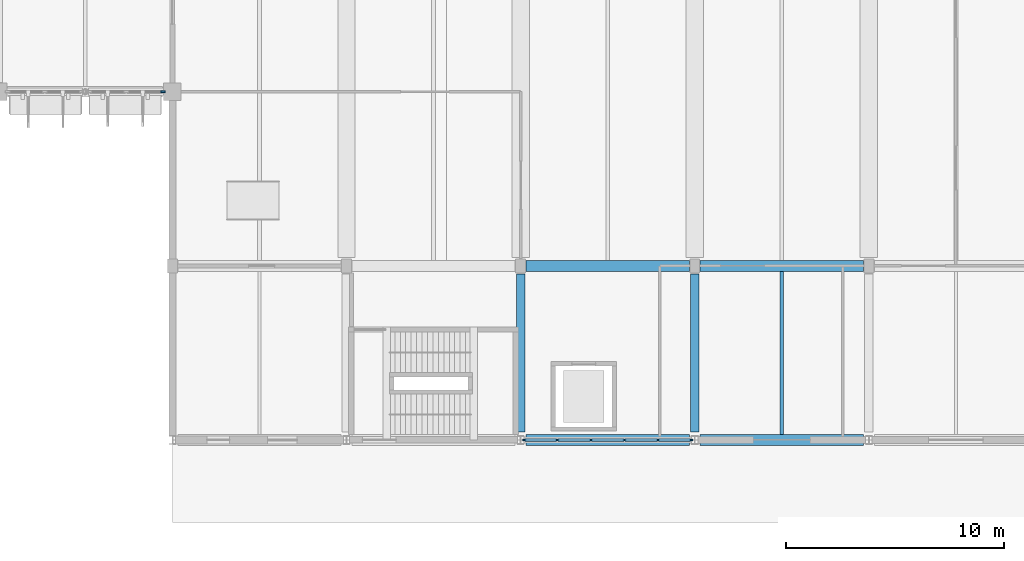
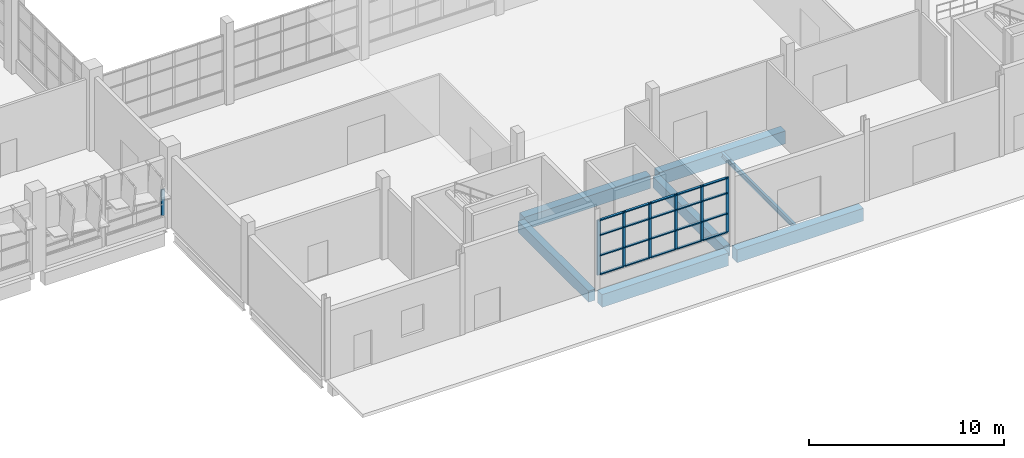
# One storey, part 20 of 103: 27 members, 7 beams, 2 elements without a shape of their own.
"""IFC4 building model written with IfcOpenShell, lengths in metres."""

from ifc_helpers import new_model, si_unit, direction, frame, origin, origin_2d, place, context, subcontext, project, spatial, rectangle, i_section, extrude, material, layer, layer_set, material_profile, profile_set, type_object, element, aggregate, save


model = new_model("IFC4")

# Units and contexts
model_context = context("Model", 3, precision=1e-05, world=origin(), true_north=direction((0.0, 1.0)))
body_context = subcontext(model_context, "Body", "Model", "MODEL_VIEW")
ifc_project = project(units=[si_unit("LENGTHUNIT", "METRE"), si_unit("AREAUNIT", "SQUARE_METRE"), si_unit("VOLUMEUNIT", "CUBIC_METRE"), si_unit("PLANEANGLEUNIT", "RADIAN"), si_unit("MASSUNIT", "GRAM", prefix="KILO")], contexts=[model_context])

# Site, building, storey
site_placement = place(None, origin())
site = spatial("IfcSite", under=ifc_project, at=site_placement, CompositionType="ELEMENT")
building_placement = place(site_placement, origin())
building = spatial("IfcBuilding", under=site, at=building_placement, Name="Drelvana Railside Aquatics Centre", CompositionType="ELEMENT")
storey_placement = place(building_placement, origin())
storey = spatial("IfcBuildingStorey", under=building, at=storey_placement, Name="L00", CompositionType="ELEMENT", Elevation=0.0)

# Curtain wall, member
ifc_material_1 = material(Name="Bronze-anodised aluminium curtain wall", Category="aluminium")
ifc_layer_1 = layer(ifc_material_1, 0.199951171875, Name="Bronze-anodised aluminium curtain wall")
ifc_layer_set_1 = layer_set([ifc_layer_1], Name="Bronze-anodised aluminium curtain wall")
curtain_wall_type_1 = type_object("IfcCurtainWallType", Name="CW-Z1-SINE", PredefinedType="NOTDEFINED", material=ifc_layer_set_1)
curtain_wall_1_placement = place(storey_placement, origin())
curtain_wall_1 = element("IfcCurtainWall", 1, at=curtain_wall_1_placement, inside=storey, type_object=curtain_wall_type_1, Name="Curtain wall CW-01-016", PredefinedType="NOTDEFINED")
ifc_material_2 = material(Name="Bronze-anodised aluminium 6063-T6", Category="aluminium")
ifc_material_profile_1 = material_profile(ifc_material_2, rectangle(XDim=0.074951171875, YDim=0.22509765625, at=origin_2d()), Name="ALU-M 75x225")
ifc_profile_set_1 = profile_set([ifc_material_profile_1], Name="Bronze-anodised aluminium 6063-T6")
member_type_1 = type_object("IfcMemberType", Name="CW-Z1-SINE-MUL", PredefinedType="MULLION", material=ifc_profile_set_1)
member_1_placement = place(storey_placement, frame((95.568603515625, 16.0, 0.64404296875), z_axis=(0.0, 0.0, 1.0), x_axis=(0.0, 1.0, 0.0)))
member_1 = element("IfcMember", 2, at=member_1_placement, type_object=member_type_1, Name="CW-01 mullion 3", PredefinedType="MULLION", context=body_context, shape_type="SweptSolid", body=[
    extrude(rectangle(XDim=0.074951171875, YDim=0.22509765625, at=origin_2d()), origin(), (0.0, 0.0, 1.0), 1.635009765625),
])
aggregate(curtain_wall_1, [member_1])

# Curtain wall, members
ifc_layer_2 = layer(ifc_material_1, 0.18994140625, Name="Bronze-anodised aluminium curtain wall")
ifc_layer_set_2 = layer_set([ifc_layer_2], Name="Bronze-anodised aluminium curtain wall")
curtain_wall_type_2 = type_object("IfcCurtainWallType", Name="CW-Z4-FOYER", PredefinedType="NOTDEFINED", material=ifc_layer_set_2)
curtain_wall_2_placement = place(storey_placement, origin())
curtain_wall_2 = element("IfcCurtainWall", 3, at=curtain_wall_2_placement, inside=storey, type_object=curtain_wall_type_2, Name="Curtain wall CW-04-104", PredefinedType="NOTDEFINED")
ifc_material_profile_2 = material_profile(ifc_material_2, rectangle(XDim=0.06494140625, YDim=0.175048828125, at=origin_2d()), Name="ALU-M 65x175")
ifc_profile_set_2 = profile_set([ifc_material_profile_2], Name="Bronze-anodised aluminium 6063-T6")
member_type_2 = type_object("IfcMemberType", Name="CW-Z4-FOYER-MUL", PredefinedType="MULLION", material=ifc_profile_set_2)
member_2_placement = place(storey_placement, frame((112.176513671875, 0.0, 0.7939453125), z_axis=(0.0, 0.0, 1.0), x_axis=(0.0, 1.0, 0.0)))
member_2 = element("IfcMember", 4, at=member_2_placement, type_object=member_type_2, Name="CW-04 mullion 1", PredefinedType="MULLION", context=body_context, shape_type="SweptSolid", body=[
    extrude(rectangle(XDim=0.06494140625, YDim=0.175048828125, at=origin_2d()), origin(), (0.0, 0.0, 1.0), 3.4560546875),
])
member_3_placement = place(storey_placement, frame((113.686279296875, 0.0, 0.7939453125), z_axis=(0.0, 0.0, 1.0), x_axis=(0.0, 1.0, 0.0)))
member_3 = element("IfcMember", 5, at=member_3_placement, type_object=member_type_2, Name="CW-04 mullion 2", PredefinedType="MULLION", context=body_context, shape_type="SweptSolid", body=[
    extrude(rectangle(XDim=0.06494140625, YDim=0.175048828125, at=origin_2d()), origin(), (0.0, 0.0, 1.0), 3.4560546875),
])
member_4_placement = place(storey_placement, frame((115.228759765625, 0.0, 0.7939453125), z_axis=(0.0, 0.0, 1.0), x_axis=(0.0, 1.0, 0.0)))
member_4 = element("IfcMember", 6, at=member_4_placement, type_object=member_type_2, Name="CW-04 mullion 3", PredefinedType="MULLION", context=body_context, shape_type="SweptSolid", body=[
    extrude(rectangle(XDim=0.06494140625, YDim=0.175048828125, at=origin_2d()), origin(), (0.0, 0.0, 1.0), 3.4560546875),
])
member_5_placement = place(storey_placement, frame((116.771240234375, 0.0, 0.7939453125), z_axis=(0.0, 0.0, 1.0), x_axis=(0.0, 1.0, 0.0)))
member_5 = element("IfcMember", 7, at=member_5_placement, type_object=member_type_2, Name="CW-04 mullion 4", PredefinedType="MULLION", context=body_context, shape_type="SweptSolid", body=[
    extrude(rectangle(XDim=0.06494140625, YDim=0.175048828125, at=origin_2d()), origin(), (0.0, 0.0, 1.0), 3.4560546875),
])
member_6_placement = place(storey_placement, frame((118.313720703125, 0.0, 0.7939453125), z_axis=(0.0, 0.0, 1.0), x_axis=(0.0, 1.0, 0.0)))
member_6 = element("IfcMember", 8, at=member_6_placement, type_object=member_type_2, Name="CW-04 mullion 5", PredefinedType="MULLION", context=body_context, shape_type="SweptSolid", body=[
    extrude(rectangle(XDim=0.06494140625, YDim=0.175048828125, at=origin_2d()), origin(), (0.0, 0.0, 1.0), 3.4560546875),
])
member_7_placement = place(storey_placement, frame((119.823486328125, 0.0, 0.7939453125), z_axis=(0.0, 0.0, 1.0), x_axis=(0.0, 1.0, 0.0)))
member_7 = element("IfcMember", 9, at=member_7_placement, type_object=member_type_2, Name="CW-04 mullion 6", PredefinedType="MULLION", context=body_context, shape_type="SweptSolid", body=[
    extrude(rectangle(XDim=0.06494140625, YDim=0.175048828125, at=origin_2d()), origin(), (0.0, 0.0, 1.0), 3.4560546875),
])
ifc_material_profile_3 = material_profile(ifc_material_2, rectangle(XDim=0.139892578125, YDim=0.06494140625, at=origin_2d()), Name="ALU-T 65x140")
ifc_profile_set_3 = profile_set([ifc_material_profile_3], Name="Bronze-anodised aluminium 6063-T6")
member_type_3 = type_object("IfcMemberType", Name="CW-Z4-FOYER-TRN", PredefinedType="USERDEFINED", material=ifc_profile_set_3)
member_8_placement = place(storey_placement, frame((112.2041015625, 0.0, 0.826416015625), z_axis=(1.0, 0.0, 0.0), x_axis=(0.0, 1.0, 0.0)))
member_8 = element("IfcMember", 10, at=member_8_placement, type_object=member_type_3, Name="CW-04 transom 1.1", ObjectType="TRANSOM", PredefinedType="USERDEFINED", context=body_context, shape_type="SweptSolid", body=[
    extrude(rectangle(XDim=0.139892578125, YDim=0.06494140625, at=origin_2d()), origin(), (0.0, 0.0, 1.0), 1.454833984375),
])
member_9_placement = place(storey_placement, frame((112.2041015625, 0.0, 2.00390625), z_axis=(1.0, 0.0, 0.0), x_axis=(0.0, 1.0, 0.0)))
member_9 = element("IfcMember", 11, at=member_9_placement, type_object=member_type_3, Name="CW-04 transom 1.2", ObjectType="TRANSOM", PredefinedType="USERDEFINED", context=body_context, shape_type="SweptSolid", body=[
    extrude(rectangle(XDim=0.139892578125, YDim=0.06494140625, at=origin_2d()), origin(), (0.0, 0.0, 1.0), 1.454833984375),
])
member_10_placement = place(storey_placement, frame((112.2041015625, 0.0, 3.281982421875), z_axis=(1.0, 0.0, 0.0), x_axis=(0.0, 1.0, 0.0)))
member_10 = element("IfcMember", 12, at=member_10_placement, type_object=member_type_3, Name="CW-04 transom 1.3", ObjectType="TRANSOM", PredefinedType="USERDEFINED", context=body_context, shape_type="SweptSolid", body=[
    extrude(rectangle(XDim=0.139892578125, YDim=0.06494140625, at=origin_2d()), origin(), (0.0, 0.0, 1.0), 1.454833984375),
])
member_11_placement = place(storey_placement, frame((112.2041015625, 0.0, 4.217529296875), z_axis=(1.0, 0.0, 0.0), x_axis=(0.0, 1.0, 0.0)))
member_11 = element("IfcMember", 13, at=member_11_placement, type_object=member_type_3, Name="CW-04 transom 1.4", ObjectType="TRANSOM", PredefinedType="USERDEFINED", context=body_context, shape_type="SweptSolid", body=[
    extrude(rectangle(XDim=0.139892578125, YDim=0.06494140625, at=origin_2d()), origin(), (0.0, 0.0, 1.0), 1.454833984375),
])
member_12_placement = place(storey_placement, frame((113.7138671875, 0.0, 0.826416015625), z_axis=(1.0, 0.0, 0.0), x_axis=(0.0, 1.0, 0.0)))
member_12 = element("IfcMember", 14, at=member_12_placement, type_object=member_type_3, Name="CW-04 transom 2.1", ObjectType="TRANSOM", PredefinedType="USERDEFINED", context=body_context, shape_type="SweptSolid", body=[
    extrude(rectangle(XDim=0.139892578125, YDim=0.06494140625, at=origin_2d()), origin(), (0.0, 0.0, 1.0), 1.487548828125),
])
member_13_placement = place(storey_placement, frame((113.7138671875, 0.0, 2.00390625), z_axis=(1.0, 0.0, 0.0), x_axis=(0.0, 1.0, 0.0)))
member_13 = element("IfcMember", 15, at=member_13_placement, type_object=member_type_3, Name="CW-04 transom 2.2", ObjectType="TRANSOM", PredefinedType="USERDEFINED", context=body_context, shape_type="SweptSolid", body=[
    extrude(rectangle(XDim=0.139892578125, YDim=0.06494140625, at=origin_2d()), origin(), (0.0, 0.0, 1.0), 1.487548828125),
])
member_14_placement = place(storey_placement, frame((113.7138671875, 0.0, 3.281982421875), z_axis=(1.0, 0.0, 0.0), x_axis=(0.0, 1.0, 0.0)))
member_14 = element("IfcMember", 16, at=member_14_placement, type_object=member_type_3, Name="CW-04 transom 2.3", ObjectType="TRANSOM", PredefinedType="USERDEFINED", context=body_context, shape_type="SweptSolid", body=[
    extrude(rectangle(XDim=0.139892578125, YDim=0.06494140625, at=origin_2d()), origin(), (0.0, 0.0, 1.0), 1.487548828125),
])
member_15_placement = place(storey_placement, frame((113.7138671875, 0.0, 4.217529296875), z_axis=(1.0, 0.0, 0.0), x_axis=(0.0, 1.0, 0.0)))
member_15 = element("IfcMember", 17, at=member_15_placement, type_object=member_type_3, Name="CW-04 transom 2.4", ObjectType="TRANSOM", PredefinedType="USERDEFINED", context=body_context, shape_type="SweptSolid", body=[
    extrude(rectangle(XDim=0.139892578125, YDim=0.06494140625, at=origin_2d()), origin(), (0.0, 0.0, 1.0), 1.487548828125),
])
member_16_placement = place(storey_placement, frame((115.25634765625, 0.0, 0.826416015625), z_axis=(1.0, 0.0, 0.0), x_axis=(0.0, 1.0, 0.0)))
member_16 = element("IfcMember", 18, at=member_16_placement, type_object=member_type_3, Name="CW-04 transom 3.1", ObjectType="TRANSOM", PredefinedType="USERDEFINED", context=body_context, shape_type="SweptSolid", body=[
    extrude(rectangle(XDim=0.139892578125, YDim=0.06494140625, at=origin_2d()), origin(), (0.0, 0.0, 1.0), 1.4873046875),
])
member_17_placement = place(storey_placement, frame((115.25634765625, 0.0, 2.00390625), z_axis=(1.0, 0.0, 0.0), x_axis=(0.0, 1.0, 0.0)))
member_17 = element("IfcMember", 19, at=member_17_placement, type_object=member_type_3, Name="CW-04 transom 3.2", ObjectType="TRANSOM", PredefinedType="USERDEFINED", context=body_context, shape_type="SweptSolid", body=[
    extrude(rectangle(XDim=0.139892578125, YDim=0.06494140625, at=origin_2d()), origin(), (0.0, 0.0, 1.0), 1.4873046875),
])
member_18_placement = place(storey_placement, frame((115.25634765625, 0.0, 3.281982421875), z_axis=(1.0, 0.0, 0.0), x_axis=(0.0, 1.0, 0.0)))
member_18 = element("IfcMember", 20, at=member_18_placement, type_object=member_type_3, Name="CW-04 transom 3.3", ObjectType="TRANSOM", PredefinedType="USERDEFINED", context=body_context, shape_type="SweptSolid", body=[
    extrude(rectangle(XDim=0.139892578125, YDim=0.06494140625, at=origin_2d()), origin(), (0.0, 0.0, 1.0), 1.4873046875),
])
member_19_placement = place(storey_placement, frame((115.25634765625, 0.0, 4.217529296875), z_axis=(1.0, 0.0, 0.0), x_axis=(0.0, 1.0, 0.0)))
member_19 = element("IfcMember", 21, at=member_19_placement, type_object=member_type_3, Name="CW-04 transom 3.4", ObjectType="TRANSOM", PredefinedType="USERDEFINED", context=body_context, shape_type="SweptSolid", body=[
    extrude(rectangle(XDim=0.139892578125, YDim=0.06494140625, at=origin_2d()), origin(), (0.0, 0.0, 1.0), 1.4873046875),
])
member_20_placement = place(storey_placement, frame((116.798583984375, 0.0, 0.826416015625), z_axis=(1.0, 0.0, 0.0), x_axis=(0.0, 1.0, 0.0)))
member_20 = element("IfcMember", 22, at=member_20_placement, type_object=member_type_3, Name="CW-04 transom 4.1", ObjectType="TRANSOM", PredefinedType="USERDEFINED", context=body_context, shape_type="SweptSolid", body=[
    extrude(rectangle(XDim=0.139892578125, YDim=0.06494140625, at=origin_2d()), origin(), (0.0, 0.0, 1.0), 1.487548828125),
])
member_21_placement = place(storey_placement, frame((116.798583984375, 0.0, 2.00390625), z_axis=(1.0, 0.0, 0.0), x_axis=(0.0, 1.0, 0.0)))
member_21 = element("IfcMember", 23, at=member_21_placement, type_object=member_type_3, Name="CW-04 transom 4.2", ObjectType="TRANSOM", PredefinedType="USERDEFINED", context=body_context, shape_type="SweptSolid", body=[
    extrude(rectangle(XDim=0.139892578125, YDim=0.06494140625, at=origin_2d()), origin(), (0.0, 0.0, 1.0), 1.487548828125),
])
member_22_placement = place(storey_placement, frame((116.798583984375, 0.0, 3.281982421875), z_axis=(1.0, 0.0, 0.0), x_axis=(0.0, 1.0, 0.0)))
member_22 = element("IfcMember", 24, at=member_22_placement, type_object=member_type_3, Name="CW-04 transom 4.3", ObjectType="TRANSOM", PredefinedType="USERDEFINED", context=body_context, shape_type="SweptSolid", body=[
    extrude(rectangle(XDim=0.139892578125, YDim=0.06494140625, at=origin_2d()), origin(), (0.0, 0.0, 1.0), 1.487548828125),
])
member_23_placement = place(storey_placement, frame((116.798583984375, 0.0, 4.217529296875), z_axis=(1.0, 0.0, 0.0), x_axis=(0.0, 1.0, 0.0)))
member_23 = element("IfcMember", 25, at=member_23_placement, type_object=member_type_3, Name="CW-04 transom 4.4", ObjectType="TRANSOM", PredefinedType="USERDEFINED", context=body_context, shape_type="SweptSolid", body=[
    extrude(rectangle(XDim=0.139892578125, YDim=0.06494140625, at=origin_2d()), origin(), (0.0, 0.0, 1.0), 1.487548828125),
])
member_24_placement = place(storey_placement, frame((118.341064453125, 0.0, 0.826416015625), z_axis=(1.0, 0.0, 0.0), x_axis=(0.0, 1.0, 0.0)))
member_24 = element("IfcMember", 26, at=member_24_placement, type_object=member_type_3, Name="CW-04 transom 5.1", ObjectType="TRANSOM", PredefinedType="USERDEFINED", context=body_context, shape_type="SweptSolid", body=[
    extrude(rectangle(XDim=0.139892578125, YDim=0.06494140625, at=origin_2d()), origin(), (0.0, 0.0, 1.0), 1.454833984375),
])
member_25_placement = place(storey_placement, frame((118.341064453125, 0.0, 2.00390625), z_axis=(1.0, 0.0, 0.0), x_axis=(0.0, 1.0, 0.0)))
member_25 = element("IfcMember", 27, at=member_25_placement, type_object=member_type_3, Name="CW-04 transom 5.2", ObjectType="TRANSOM", PredefinedType="USERDEFINED", context=body_context, shape_type="SweptSolid", body=[
    extrude(rectangle(XDim=0.139892578125, YDim=0.06494140625, at=origin_2d()), origin(), (0.0, 0.0, 1.0), 1.454833984375),
])
member_26_placement = place(storey_placement, frame((118.341064453125, 0.0, 3.281982421875), z_axis=(1.0, 0.0, 0.0), x_axis=(0.0, 1.0, 0.0)))
member_26 = element("IfcMember", 28, at=member_26_placement, type_object=member_type_3, Name="CW-04 transom 5.3", ObjectType="TRANSOM", PredefinedType="USERDEFINED", context=body_context, shape_type="SweptSolid", body=[
    extrude(rectangle(XDim=0.139892578125, YDim=0.06494140625, at=origin_2d()), origin(), (0.0, 0.0, 1.0), 1.454833984375),
])
member_27_placement = place(storey_placement, frame((118.341064453125, 0.0, 4.217529296875), z_axis=(1.0, 0.0, 0.0), x_axis=(0.0, 1.0, 0.0)))
member_27 = element("IfcMember", 29, at=member_27_placement, type_object=member_type_3, Name="CW-04 transom 5.4", ObjectType="TRANSOM", PredefinedType="USERDEFINED", context=body_context, shape_type="SweptSolid", body=[
    extrude(rectangle(XDim=0.139892578125, YDim=0.06494140625, at=origin_2d()), origin(), (0.0, 0.0, 1.0), 1.454833984375),
])
aggregate(curtain_wall_2, [member_2, member_3, member_4, member_5, member_6, member_7, member_8, member_9, member_10, member_11, member_12, member_13, member_14, member_15, member_16, member_17, member_18, member_19, member_20, member_21, member_22, member_23, member_24, member_25, member_26, member_27])

# Beams
ifc_material_3 = material(Name="Concrete C40/50", Category="concrete")
ifc_material_profile_4 = material_profile(ifc_material_3, rectangle(XDim=0.39990234375, YDim=0.699951171875, at=origin_2d()), Name="RC 400x700")
ifc_profile_set_4 = profile_set([ifc_material_profile_4], Name="Concrete C40/50")
beam_type_1 = type_object("IfcBeamType", Name="STR-BM-BM-03-RC-400x700", PredefinedType="BEAM", material=ifc_profile_set_4)
for number, where, z_axis, x_axis, name in (
    (30, (112.0, 0.375, -0.679931640625), (0.0, 1.0, 0.0), (-1.0, 0.0, 0.0), "Girder BM-03 (L00)"),
    (31, (120.0, 0.375, -0.679931640625), (0.0, 1.0, 0.0), (-1.0, 0.0, 0.0), "Girder BM-03 (L00)"),
):
    element("IfcBeam", number, at=place(storey_placement, frame(where, z_axis=z_axis, x_axis=x_axis)), inside=storey, type_object=beam_type_1, Name=name, PredefinedType="BEAM", context=body_context, shape_type="SweptSolid", body=[
        extrude(rectangle(XDim=0.39990234375, YDim=0.699951171875, at=origin_2d()), origin(), (0.0, 0.0, 1.0), 7.25),
    ])
ifc_material_profile_5 = material_profile(ifc_material_3, rectangle(XDim=0.5, YDim=0.800048828125, at=origin_2d()), Name="RC 500x800")
ifc_profile_set_5 = profile_set([ifc_material_profile_5], Name="Concrete C40/50")
beam_type_2 = type_object("IfcBeamType", Name="STR-BM-BM-06-RC-500x800", PredefinedType="SPANDREL", material=ifc_profile_set_5)
for number, where, z_axis, x_axis, name in (
    (32, (112.25, 0.0, -0.72998046875), (1.0, 0.0, 0.0), (0.0, 1.0, 0.0), "Girder BM-06 (L00)"),
    (33, (120.25, 0.0, -0.72998046875), (1.0, 0.0, 0.0), (0.0, 1.0, 0.0), "Girder BM-06 (L00)"),
    (34, (112.25, 8.0, -0.72998046875), (1.0, 0.0, 0.0), (0.0, 1.0, 0.0), "Girder BM-06 (L00)"),
    (35, (120.25, 8.0, -0.72998046875), (1.0, 0.0, 0.0), (0.0, 1.0, 0.0), "Girder BM-06 (L00)"),
):
    element("IfcBeam", number, at=place(storey_placement, frame(where, z_axis=z_axis, x_axis=x_axis)), inside=storey, type_object=beam_type_2, Name=name, PredefinedType="SPANDREL", context=body_context, shape_type="SweptSolid", body=[
        extrude(rectangle(XDim=0.5, YDim=0.800048828125, at=origin_2d()), origin(), (0.0, 0.0, 1.0), 7.5),
    ])
ifc_material_4 = material(Name="Structural steel S355", Category="steel")
ifc_material_profile_6 = material_profile(ifc_material_4, i_section(OverallWidth=0.14990234375, OverallDepth=0.300048828125, WebThickness=0.007080078125, FlangeThickness=0.0107421875, at=origin_2d()), Name="IPE 300")
ifc_profile_set_6 = profile_set([ifc_material_profile_6], Name="Structural steel S355")
beam_type_3 = type_object("IfcBeamType", Name="STR-SBM-SJ-03-IPE-300", PredefinedType="JOIST", material=ifc_profile_set_6)
beam_placement = place(storey_placement, frame((124.0, 0.25, -0.47998046875), z_axis=(0.0, 1.0, 0.0), x_axis=(-1.0, 0.0, 0.0)))
element("IfcBeam", 36, at=beam_placement, inside=storey, type_object=beam_type_3, Name="Secondary floor joist SJ-03 (L00)", PredefinedType="JOIST", context=body_context, shape_type="SweptSolid", body=[
    extrude(i_section(OverallWidth=0.14990234375, OverallDepth=0.300048828125, WebThickness=0.007080078125, FlangeThickness=0.0107421875, at=origin_2d()), origin(), (0.0, 0.0, 1.0), 7.5),
])

save(model, "model.ifc")
